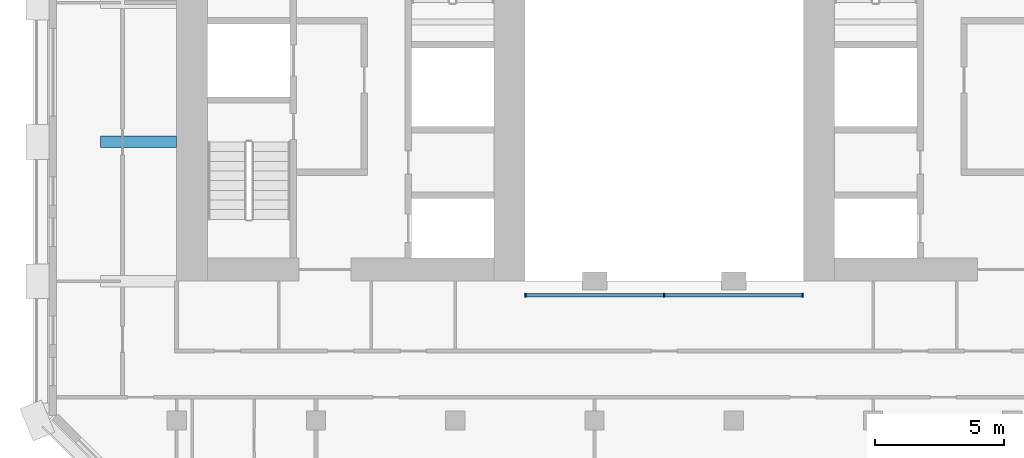
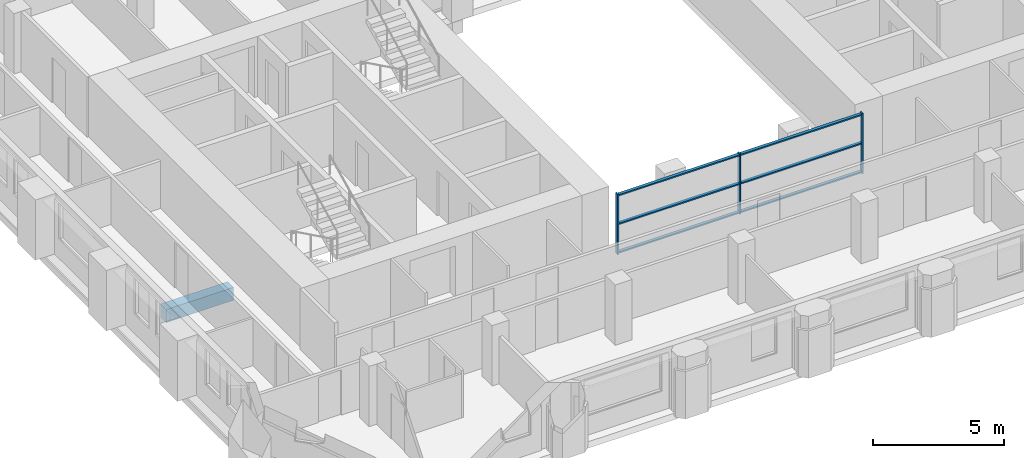
# One storey, part 2 of 14: 9 members, 1 beam, 1 element without a shape of its own.
"""IFC4 building model written with IfcOpenShell, lengths in metres."""

from ifc_helpers import new_model, si_unit, direction, frame, origin, origin_2d, place, context, subcontext, project, spatial, rectangle, extrude, material, material_profile, profile_set, type_object, element, aggregate, save


model = new_model("IFC4")

# Units and contexts
model_context = context("Model", 3, precision=1e-05, world=origin(), true_north=direction((0.0, 1.0)))
body_context = subcontext(model_context, "Body", "Model", "MODEL_VIEW")
ifc_project = project(units=[si_unit("LENGTHUNIT", "METRE"), si_unit("AREAUNIT", "SQUARE_METRE"), si_unit("VOLUMEUNIT", "CUBIC_METRE"), si_unit("PLANEANGLEUNIT", "RADIAN"), si_unit("MASSUNIT", "GRAM", prefix="KILO")], contexts=[model_context])

# Site, building, storey
site_placement = place(None, origin())
site = spatial("IfcSite", under=ifc_project, at=site_placement, CompositionType="ELEMENT")
building_placement = place(site_placement, origin())
building = spatial("IfcBuilding", under=site, at=building_placement, Name="Tabaq Tower and Sports Hall", CompositionType="ELEMENT")
storey_placement = place(building_placement, frame((0.0, 0.0, 230.199951171875)))
storey = spatial("IfcBuildingStorey", under=building, at=storey_placement, Name="L58", CompositionType="ELEMENT", Elevation=230.199951171875)

# Curtain wall, members
ifc_material_1 = material(Name="Aluminium alloy 6063-T6 framed glazing", Category="aluminium")
curtain_wall_type = type_object("IfcCurtainWallType", Name="CW1 curtain wall", PredefinedType="USERDEFINED", material=ifc_material_1)
curtain_wall_placement = place(storey_placement, origin())
curtain_wall = element("IfcCurtainWall", 1, at=curtain_wall_placement, inside=storey, type_object=curtain_wall_type, Name="Atrium glazing L58 S", ObjectType="ATRIUM ENCLOSURE", PredefinedType="USERDEFINED")
ifc_material_2 = material(Name="Aluminium alloy 6063-T6", Category="aluminium")
ifc_material_profile_1 = material_profile(ifc_material_2, rectangle(XDim=0.159912109375, YDim=0.06005859375, at=origin_2d()), Name="MULLION 160x60")
ifc_profile_set_1 = profile_set([ifc_material_profile_1], Name="Aluminium alloy 6063-T6")
member_type_1 = type_object("IfcMemberType", Name="CW1 mullion 160x60", PredefinedType="MULLION", material=ifc_profile_set_1)
member_1_placement = place(storey_placement, frame((18.929931640625, 15.64990234375, 0.0), z_axis=(0.0, 0.0, 1.0), x_axis=(0.0, 1.0, 0.0)))
member_1 = element("IfcMember", 2, at=member_1_placement, type_object=member_type_1, Name="CW1 mullion 1", PredefinedType="MULLION", context=body_context, shape_type="SweptSolid", body=[
    extrude(rectangle(XDim=0.159912109375, YDim=0.06005859375, at=origin_2d()), origin(), (0.0, 0.0, 1.0), 2.800048828125),
])
member_2_placement = place(storey_placement, frame((24.300048828125, 15.64990234375, 0.0), z_axis=(0.0, 0.0, 1.0), x_axis=(0.0, 1.0, 0.0)))
member_2 = element("IfcMember", 3, at=member_2_placement, type_object=member_type_1, Name="CW1 mullion 2", PredefinedType="MULLION", context=body_context, shape_type="SweptSolid", body=[
    extrude(rectangle(XDim=0.159912109375, YDim=0.06005859375, at=origin_2d()), origin(), (0.0, 0.0, 1.0), 2.800048828125),
])
member_3_placement = place(storey_placement, frame((29.669921875, 15.64990234375, 0.0), z_axis=(0.0, 0.0, 1.0), x_axis=(0.0, 1.0, 0.0)))
member_3 = element("IfcMember", 4, at=member_3_placement, type_object=member_type_1, Name="CW1 mullion 3", PredefinedType="MULLION", context=body_context, shape_type="SweptSolid", body=[
    extrude(rectangle(XDim=0.159912109375, YDim=0.06005859375, at=origin_2d()), origin(), (0.0, 0.0, 1.0), 2.800048828125),
])
ifc_material_3 = material(Name="Aluminium alloy 6063-T6", Category="aluminium")
ifc_material_profile_2 = material_profile(ifc_material_3, rectangle(XDim=0.139892578125, YDim=0.06005859375, at=origin_2d()), Name="TRANSOM 140x60")
ifc_profile_set_2 = profile_set([ifc_material_profile_2], Name="Aluminium alloy 6063-T6")
member_type_2 = type_object("IfcMemberType", Name="CW1 transom 140x60", PredefinedType="USERDEFINED", material=ifc_profile_set_2)
member_4_placement = place(storey_placement, frame((18.9599609375, 15.64990234375, 0.070068359375), z_axis=(1.0, 0.0, 0.0), x_axis=(0.0, 1.0, 0.0)))
member_4 = element("IfcMember", 5, at=member_4_placement, type_object=member_type_2, Name="CW1 transom 1.1", ObjectType="TRANSOM", PredefinedType="USERDEFINED", context=body_context, shape_type="SweptSolid", body=[
    extrude(rectangle(XDim=0.139892578125, YDim=0.06005859375, at=origin_2d()), origin(), (0.0, 0.0, 1.0), 5.31005859375),
])
member_5_placement = place(storey_placement, frame((18.9599609375, 15.64990234375, 1.400146484375), z_axis=(1.0, 0.0, 0.0), x_axis=(0.0, 1.0, 0.0)))
member_5 = element("IfcMember", 6, at=member_5_placement, type_object=member_type_2, Name="CW1 transom 1.2", ObjectType="TRANSOM", PredefinedType="USERDEFINED", context=body_context, shape_type="SweptSolid", body=[
    extrude(rectangle(XDim=0.139892578125, YDim=0.06005859375, at=origin_2d()), origin(), (0.0, 0.0, 1.0), 5.31005859375),
])
member_6_placement = place(storey_placement, frame((18.9599609375, 15.64990234375, 2.72998046875), z_axis=(1.0, 0.0, 0.0), x_axis=(0.0, 1.0, 0.0)))
member_6 = element("IfcMember", 7, at=member_6_placement, type_object=member_type_2, Name="CW1 transom 1.3", ObjectType="TRANSOM", PredefinedType="USERDEFINED", context=body_context, shape_type="SweptSolid", body=[
    extrude(rectangle(XDim=0.139892578125, YDim=0.06005859375, at=origin_2d()), origin(), (0.0, 0.0, 1.0), 5.31005859375),
])
member_7_placement = place(storey_placement, frame((24.330078125, 15.64990234375, 0.070068359375), z_axis=(1.0, 0.0, 0.0), x_axis=(0.0, 1.0, 0.0)))
member_7 = element("IfcMember", 8, at=member_7_placement, type_object=member_type_2, Name="CW1 transom 2.1", ObjectType="TRANSOM", PredefinedType="USERDEFINED", context=body_context, shape_type="SweptSolid", body=[
    extrude(rectangle(XDim=0.139892578125, YDim=0.06005859375, at=origin_2d()), origin(), (0.0, 0.0, 1.0), 5.309814453125),
])
member_8_placement = place(storey_placement, frame((24.330078125, 15.64990234375, 1.400146484375), z_axis=(1.0, 0.0, 0.0), x_axis=(0.0, 1.0, 0.0)))
member_8 = element("IfcMember", 9, at=member_8_placement, type_object=member_type_2, Name="CW1 transom 2.2", ObjectType="TRANSOM", PredefinedType="USERDEFINED", context=body_context, shape_type="SweptSolid", body=[
    extrude(rectangle(XDim=0.139892578125, YDim=0.06005859375, at=origin_2d()), origin(), (0.0, 0.0, 1.0), 5.309814453125),
])
member_9_placement = place(storey_placement, frame((24.330078125, 15.64990234375, 2.72998046875), z_axis=(1.0, 0.0, 0.0), x_axis=(0.0, 1.0, 0.0)))
member_9 = element("IfcMember", 10, at=member_9_placement, type_object=member_type_2, Name="CW1 transom 2.3", ObjectType="TRANSOM", PredefinedType="USERDEFINED", context=body_context, shape_type="SweptSolid", body=[
    extrude(rectangle(XDim=0.139892578125, YDim=0.06005859375, at=origin_2d()), origin(), (0.0, 0.0, 1.0), 5.309814453125),
])
aggregate(curtain_wall, [member_1, member_2, member_3, member_4, member_5, member_6, member_7, member_8, member_9])

# Beam
ifc_material_4 = material(Name="Concrete C40/50", Category="concrete")
ifc_material_profile_3 = material_profile(ifc_material_4, rectangle(XDim=0.449951171875, YDim=0.60009765625, at=origin_2d()), Name="CB 450x600")
ifc_profile_set_3 = profile_set([ifc_material_profile_3], Name="Concrete C40/50")
beam_type = type_object("IfcBeamType", Name="PT CANTILEVER BEAM CB 450x600 C40/50", PredefinedType="BEAM", material=ifc_profile_set_3)
beam_placement = place(storey_placement, frame((2.449951171875, 21.60009765625, -0.599853515625), z_axis=(1.0, 0.0, 0.0), x_axis=(0.0, 1.0, 0.0)))
element("IfcBeam", 11, at=beam_placement, inside=storey, type_object=beam_type, Name="Cantilever Beam L58 W4 span 1", PredefinedType="BEAM", context=body_context, shape_type="SweptSolid", body=[
    extrude(rectangle(XDim=0.449951171875, YDim=0.60009765625, at=origin_2d()), origin(), (0.0, 0.0, 1.0), 2.949951171875),
])

save(model, "model.ifc")
